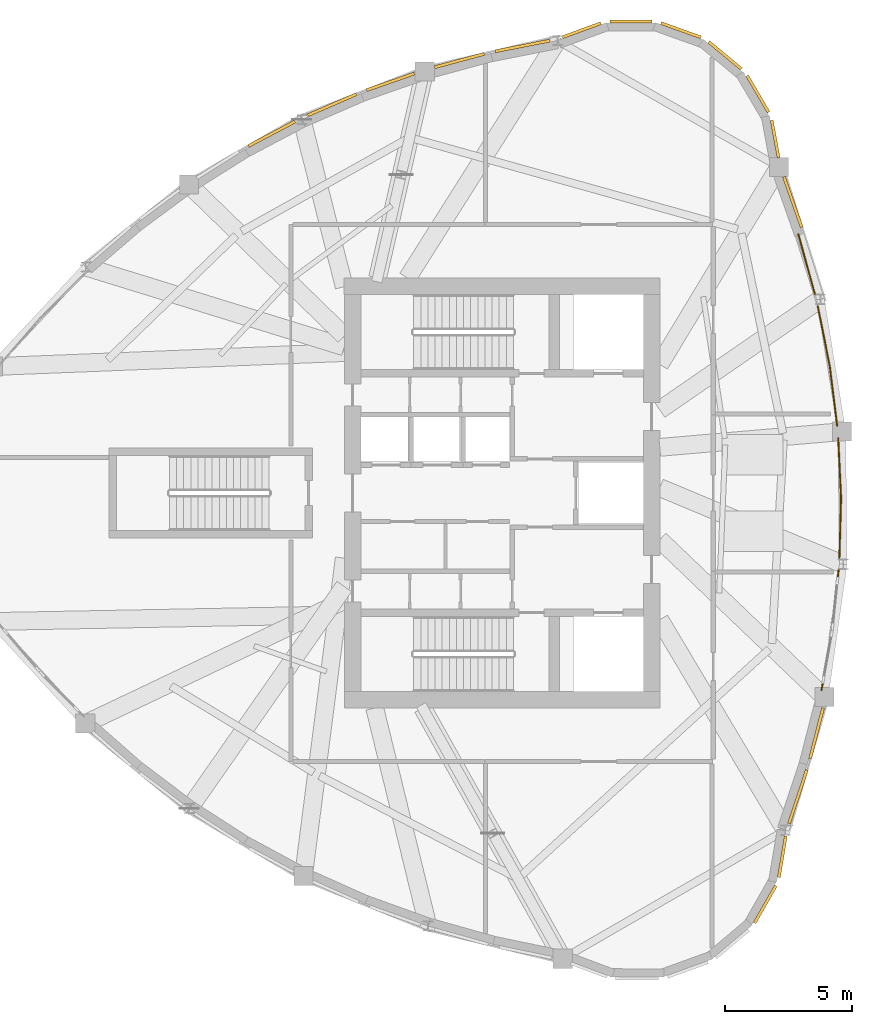
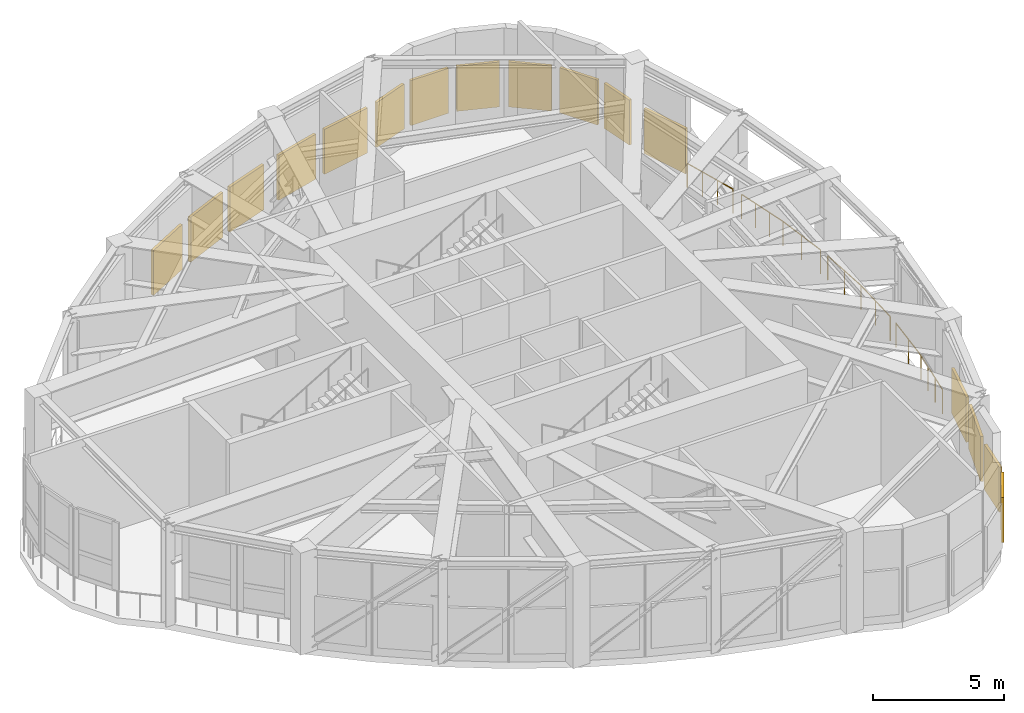
# One storey, part 10 of 10: 16 shading devices, 7 railings.
"""IFC4 building model written with IfcOpenShell, lengths in metres."""

from ifc_helpers import new_model, si_unit, direction, frame, origin, origin_2d, place, context, subcontext, project, spatial, rectangle, circle, extrude, source, transform, mapped, material, layer, layer_set, type_object, element, save


model = new_model("IFC4")

# Units and contexts
model_context = context("Model", 3, precision=1e-05, world=origin(), true_north=direction((0.0, 1.0)))
body_context = subcontext(model_context, "Body", "Model", "MODEL_VIEW")
ifc_project = project(units=[si_unit("LENGTHUNIT", "METRE"), si_unit("AREAUNIT", "SQUARE_METRE"), si_unit("VOLUMEUNIT", "CUBIC_METRE"), si_unit("PLANEANGLEUNIT", "RADIAN"), si_unit("MASSUNIT", "GRAM", prefix="KILO")], contexts=[model_context])

# Site, building, storey
site_placement = place(None, origin())
site = spatial("IfcSite", under=ifc_project, at=site_placement, CompositionType="ELEMENT")
building_placement = place(site_placement, origin())
building = spatial("IfcBuilding", under=site, at=building_placement, Name="Qafzar Sky-Pleat Residences", CompositionType="ELEMENT")
storey_placement = place(building_placement, frame((0.0, 0.0, 190.60009765625)))
storey = spatial("IfcBuildingStorey", under=building, at=storey_placement, Name="L57", CompositionType="ELEMENT", Elevation=190.60009765625)

# Shading devices
ifc_material_1 = material(Name="Anodised bronze aluminium acoustic louvre", Category="aluminium")
ifc_layer = layer(ifc_material_1, 0.1201171875)
ifc_layer_set = layer_set([ifc_layer], Name="Anodised bronze aluminium acoustic louvre")
shading_device_type = type_object("IfcShadingDeviceType", Name="SHD-LOUVRE-PLANT", PredefinedType="JALOUSIE", material=ifc_layer_set)
shared_shape_1 = source(origin(), body_context, "Body", "SweptSolid", [
    extrude(rectangle(XDim=1.985107421875, YDim=0.1201171875, at=origin_2d()), origin(), (0.0, 0.0, 1.0), 2.10009765625),
])
shading_device_1_placement = place(storey_placement, frame((25.966796875, 42.154541015625, 0.449951171875), z_axis=(0.0, 0.0, 1.0), x_axis=(-0.944140121772, -0.329544276935, 0.0)))
element("IfcShadingDevice", 1, at=shading_device_1_placement, inside=storey, type_object=shading_device_type, Name="L57 Plant Acoustic Louvre 41", PredefinedType="JALOUSIE", context=body_context, shape_type="MappedRepresentation", body=[
    mapped(shared_shape_1, transform((0.0, 0.0, 0.0), x_axis=(1.0, 0.0, 0.0), y_axis=(0.0, 1.0, 0.0), z_axis=(0.0, 0.0, 1.0), scale=1.0)),
])
shared_shape_2 = source(origin(), body_context, "Body", "SweptSolid", [
    extrude(rectangle(XDim=1.68701171875, YDim=0.1201171875, at=origin_2d()), origin(), (0.0, 0.0, 1.0), 2.10009765625),
])
shading_device_2_placement = place(storey_placement, frame((40.689697265625, 9.834716796875, 0.449951171875), z_axis=(0.0, 0.0, 1.0), x_axis=(0.495776314324, 0.868450255429, 0.0)))
element("IfcShadingDevice", 2, at=shading_device_2_placement, inside=storey, type_object=shading_device_type, Name="L57 Plant Acoustic Louvre 21", PredefinedType="JALOUSIE", context=body_context, shape_type="MappedRepresentation", body=[
    mapped(shared_shape_2, transform((0.0, 0.0, 0.0), x_axis=(1.0, 0.0, 0.0), y_axis=(0.0, 1.0, 0.0), z_axis=(0.0, 0.0, 1.0), scale=1.0)),
])
shared_shape_3 = source(origin(), body_context, "Body", "SweptSolid", [
    extrude(rectangle(XDim=1.640625, YDim=0.1201171875, at=origin_2d()), origin(), (0.0, 0.0, 1.0), 2.10009765625),
])
shading_device_3_placement = place(storey_placement, frame((41.363525390625, 11.709228515625, 0.449951171875), z_axis=(0.0, 0.0, 1.0), x_axis=(0.165687701877, 0.98617827265, 0.0)))
element("IfcShadingDevice", 3, at=shading_device_3_placement, inside=storey, type_object=shading_device_type, Name="L57 Plant Acoustic Louvre 22", PredefinedType="JALOUSIE", context=body_context, shape_type="MappedRepresentation", body=[
    mapped(shared_shape_3, transform((0.0, 0.0, 0.0), x_axis=(1.0, 0.0, 0.0), y_axis=(0.0, 1.0, 0.0), z_axis=(0.0, 0.0, 1.0), scale=1.0)),
])
shared_shape_4 = source(origin(), body_context, "Body", "SweptSolid", [
    extrude(rectangle(XDim=2.218017578125, YDim=0.1201171875, at=origin_2d()), origin(), (0.0, 0.0, 1.0), 2.10009765625),
])
shading_device_4_placement = place(storey_placement, frame((41.976806640625, 14.067138671875, 0.449951171875), z_axis=(0.0, 0.0, 1.0), x_axis=(0.314387802829, 0.94929463784, 0.0)))
element("IfcShadingDevice", 4, at=shading_device_4_placement, inside=storey, type_object=shading_device_type, Name="L57 Plant Acoustic Louvre 23", PredefinedType="JALOUSIE", context=body_context, shape_type="MappedRepresentation", body=[
    mapped(shared_shape_4, transform((0.0, 0.0, 0.0), x_axis=(1.0, 0.0, 0.0), y_axis=(0.0, 1.0, 0.0), z_axis=(0.0, 0.0, 1.0), scale=1.0)),
])
shared_shape_5 = source(origin(), body_context, "Body", "SweptSolid", [
    extrude(rectangle(XDim=2.05615234375, YDim=0.1201171875, at=origin_2d()), origin(), (0.0, 0.0, 1.0), 2.10009765625),
])
shading_device_5_placement = place(storey_placement, frame((42.710693359375, 16.558837890625, 0.449951171875), z_axis=(0.0, 0.0, 1.0), x_axis=(0.247613282553, 0.968858948611, 0.0)))
element("IfcShadingDevice", 5, at=shading_device_5_placement, inside=storey, type_object=shading_device_type, Name="L57 Plant Acoustic Louvre 24", PredefinedType="JALOUSIE", context=body_context, shape_type="MappedRepresentation", body=[
    mapped(shared_shape_5, transform((0.0, 0.0, 0.0), x_axis=(1.0, 0.0, 0.0), y_axis=(0.0, 1.0, 0.0), z_axis=(0.0, 0.0, 1.0), scale=1.0)),
])

# Railings
ifc_material_2 = material(Name="Galvanised and bronze-coated Steel S355 guardrail", Category="steel")
railing_type = type_object("IfcRailingType", Name="RAIL-EXT-1150", PredefinedType="GUARDRAIL", material=ifc_material_2)
shared_shape_6 = source(origin(), body_context, "Body", "SweptSolid", [
    extrude(circle(Radius=0.02392578125, at=origin_2d()), frame((0.0, 0.0, 1.1259765625), z_axis=(0.177088046637, 0.984195013063, 0.0), x_axis=(-0.984195013063, 0.177088046637, 0.0)), (0.0, 0.0, 1.0), 2.403076171875),
    extrude(circle(Radius=0.02099609375, at=origin_2d()), origin(), (0.0, 0.0, 1.0), 1.101806640625),
    extrude(circle(Radius=0.02099609375, at=origin_2d()), frame((0.141845703125, 0.788330078125, 0.0)), (0.0, 0.0, 1.0), 1.101806640625),
    extrude(circle(Radius=0.02099609375, at=origin_2d()), frame((0.28369140625, 1.57666015625, 0.0)), (0.0, 0.0, 1.0), 1.101806640625),
    extrude(circle(Radius=0.02099609375, at=origin_2d()), frame((0.425537109375, 2.364990234375, 0.0)), (0.0, 0.0, 1.0), 1.101806640625),
])
railing_1_placement = place(storey_placement, frame((42.9033203125, 18.251708984375, 0.0)))
element("IfcRailing", 6, at=railing_1_placement, inside=storey, type_object=railing_type, Name="L57 Wind-Turbine Slot Edge Guard 25", PredefinedType="GUARDRAIL", context=body_context, shape_type="MappedRepresentation", body=[
    mapped(shared_shape_6, transform((0.0, 0.0, 0.0), x_axis=(1.0, 0.0, 0.0), y_axis=(0.0, 1.0, 0.0), z_axis=(0.0, 0.0, 1.0), scale=1.0)),
])
shared_shape_7 = source(origin(), body_context, "Body", "SweptSolid", [
    extrude(circle(Radius=0.02392578125, at=origin_2d()), frame((0.0, 0.0, 1.1259765625), z_axis=(0.103587003727, 0.994620396261, 0.0), x_axis=(-0.994620396261, 0.103587003727, 0.0)), (0.0, 0.0, 1.0), 2.373291015625),
    extrude(circle(Radius=0.02099609375, at=origin_2d()), origin(), (0.0, 0.0, 1.0), 1.101806640625),
    extrude(circle(Radius=0.02099609375, at=origin_2d()), frame((0.123046875, 1.18017578125, 0.0)), (0.0, 0.0, 1.0), 1.101806640625),
    extrude(circle(Radius=0.02099609375, at=origin_2d()), frame((0.245849609375, 2.360595703125, 0.0)), (0.0, 0.0, 1.0), 1.101806640625),
])
railing_2_placement = place(storey_placement, frame((43.327392578125, 20.60498046875, 0.0)))
element("IfcRailing", 7, at=railing_2_placement, inside=storey, type_object=railing_type, Name="L57 Wind-Turbine Slot Edge Guard 26", PredefinedType="GUARDRAIL", context=body_context, shape_type="MappedRepresentation", body=[
    mapped(shared_shape_7, transform((0.0, 0.0, 0.0), x_axis=(1.0, 0.0, 0.0), y_axis=(0.0, 1.0, 0.0), z_axis=(0.0, 0.0, 1.0), scale=1.0)),
])
shared_shape_8 = source(origin(), body_context, "Body", "SweptSolid", [
    extrude(circle(Radius=0.02392578125, at=origin_2d()), frame((0.0, 0.0, 1.1259765625), z_axis=(0.028364721774, 0.999597640333, 0.0), x_axis=(-0.999597640333, 0.028364721774, 0.0)), (0.0, 0.0, 1.0), 2.3583984375),
    extrude(circle(Radius=0.02099609375, at=origin_2d()), origin(), (0.0, 0.0, 1.0), 1.101806640625),
    extrude(circle(Radius=0.02099609375, at=origin_2d()), frame((0.033447265625, 1.1787109375, 0.0)), (0.0, 0.0, 1.0), 1.101806640625),
    extrude(circle(Radius=0.02099609375, at=origin_2d()), frame((0.06689453125, 2.357421875, 0.0)), (0.0, 0.0, 1.0), 1.101806640625),
])
railing_3_placement = place(storey_placement, frame((43.605224609375, 23.4521484375, 0.0)))
element("IfcRailing", 8, at=railing_3_placement, inside=storey, type_object=railing_type, Name="L57 Wind-Turbine Slot Edge Guard 27", PredefinedType="GUARDRAIL", context=body_context, shape_type="MappedRepresentation", body=[
    mapped(shared_shape_8, transform((0.0, 0.0, 0.0), x_axis=(1.0, 0.0, 0.0), y_axis=(0.0, 1.0, 0.0), z_axis=(0.0, 0.0, 1.0), scale=1.0)),
])
shared_shape_9 = source(origin(), body_context, "Body", "SweptSolid", [
    extrude(circle(Radius=0.02392578125, at=origin_2d()), frame((0.0, 0.0, 1.1259765625), z_axis=(-0.047722536092, 0.998860630693, 0.0), x_axis=(-0.998860630693, -0.047722536092, 0.0)), (0.0, 0.0, 1.0), 2.3583984375),
    extrude(circle(Radius=0.02099609375, at=origin_2d()), origin(), (0.0, 0.0, 1.0), 1.101806640625),
    extrude(circle(Radius=0.02099609375, at=origin_2d()), frame((-0.05615234375, 1.177734375, 0.0)), (0.0, 0.0, 1.0), 1.101806640625),
    extrude(circle(Radius=0.02099609375, at=origin_2d()), frame((-0.112548828125, 2.355712890625, 0.0)), (0.0, 0.0, 1.0), 1.101806640625),
])
railing_4_placement = place(storey_placement, frame((43.672119140625, 25.79736328125, 0.0)))
element("IfcRailing", 9, at=railing_4_placement, inside=storey, type_object=railing_type, Name="L57 Wind-Turbine Slot Edge Guard 28", PredefinedType="GUARDRAIL", context=body_context, shape_type="MappedRepresentation", body=[
    mapped(shared_shape_9, transform((0.0, 0.0, 0.0), x_axis=(1.0, 0.0, 0.0), y_axis=(0.0, 1.0, 0.0), z_axis=(0.0, 0.0, 1.0), scale=1.0)),
])
shared_shape_10 = source(origin(), body_context, "Body", "SweptSolid", [
    extrude(circle(Radius=0.02392578125, at=origin_2d()), frame((0.0, 0.0, 1.1259765625), z_axis=(-0.122933126703, 0.992414956739, 0.0), x_axis=(-0.992414956739, -0.122933126703, 0.0)), (0.0, 0.0, 1.0), 2.373291015625),
    extrude(circle(Radius=0.02099609375, at=origin_2d()), origin(), (0.0, 0.0, 1.0), 1.101806640625),
    extrude(circle(Radius=0.02099609375, at=origin_2d()), frame((-0.14599609375, 1.177734375, 0.0)), (0.0, 0.0, 1.0), 1.101806640625),
    extrude(circle(Radius=0.02099609375, at=origin_2d()), frame((-0.291748046875, 2.355224609375, 0.0)), (0.0, 0.0, 1.0), 1.101806640625),
])
railing_5_placement = place(storey_placement, frame((43.51806640625, 28.638916015625, 0.0)))
element("IfcRailing", 10, at=railing_5_placement, inside=storey, type_object=railing_type, Name="L57 Wind-Turbine Slot Edge Guard 29", PredefinedType="GUARDRAIL", context=body_context, shape_type="MappedRepresentation", body=[
    mapped(shared_shape_10, transform((0.0, 0.0, 0.0), x_axis=(1.0, 0.0, 0.0), y_axis=(0.0, 1.0, 0.0), z_axis=(0.0, 0.0, 1.0), scale=1.0)),
])
shared_shape_11 = source(origin(), body_context, "Body", "SweptSolid", [
    extrude(circle(Radius=0.02392578125, at=origin_2d()), frame((0.0, 0.0, 1.1259765625), z_axis=(-0.196174745734, 0.98056895175, 0.0), x_axis=(-0.98056895175, -0.196174745734, 0.0)), (0.0, 0.0, 1.0), 2.403076171875),
    extrude(circle(Radius=0.02099609375, at=origin_2d()), origin(), (0.0, 0.0, 1.0), 1.101806640625),
    extrude(circle(Radius=0.02099609375, at=origin_2d()), frame((-0.1572265625, 0.785400390625, 0.0)), (0.0, 0.0, 1.0), 1.101806640625),
    extrude(circle(Radius=0.02099609375, at=origin_2d()), frame((-0.314208984375, 1.571044921875, 0.0)), (0.0, 0.0, 1.0), 1.101806640625),
    extrude(circle(Radius=0.02099609375, at=origin_2d()), frame((-0.471435546875, 2.3564453125, 0.0)), (0.0, 0.0, 1.0), 1.101806640625),
])
railing_6_placement = place(storey_placement, frame((43.22802734375, 30.982421875, 0.0)))
element("IfcRailing", 11, at=railing_6_placement, inside=storey, type_object=railing_type, Name="L57 Wind-Turbine Slot Edge Guard 30", PredefinedType="GUARDRAIL", context=body_context, shape_type="MappedRepresentation", body=[
    mapped(shared_shape_11, transform((0.0, 0.0, 0.0), x_axis=(1.0, 0.0, 0.0), y_axis=(0.0, 1.0, 0.0), z_axis=(0.0, 0.0, 1.0), scale=1.0)),
])
shared_shape_12 = source(origin(), body_context, "Body", "SweptSolid", [
    extrude(circle(Radius=0.02392578125, at=origin_2d()), frame((0.0, 0.0, 1.1259765625), z_axis=(-0.266382944661, 0.963867276545, 0.0), x_axis=(-0.963867276545, -0.266382944661, 0.0)), (0.0, 0.0, 1.0), 2.447021484375),
    extrude(circle(Radius=0.02099609375, at=origin_2d()), origin(), (0.0, 0.0, 1.0), 1.101806640625),
    extrude(circle(Radius=0.02099609375, at=origin_2d()), frame((-0.21728515625, 0.7861328125, 0.0)), (0.0, 0.0, 1.0), 1.101806640625),
    extrude(circle(Radius=0.02099609375, at=origin_2d()), frame((-0.4345703125, 1.572509765625, 0.0)), (0.0, 0.0, 1.0), 1.101806640625),
    extrude(circle(Radius=0.02099609375, at=origin_2d()), frame((-0.65185546875, 2.358642578125, 0.0)), (0.0, 0.0, 1.0), 1.101806640625),
])
railing_7_placement = place(storey_placement, frame((42.6435546875, 33.813720703125, 0.0)))
element("IfcRailing", 12, at=railing_7_placement, inside=storey, type_object=railing_type, Name="L57 Wind-Turbine Slot Edge Guard 31", PredefinedType="GUARDRAIL", context=body_context, shape_type="MappedRepresentation", body=[
    mapped(shared_shape_12, transform((0.0, 0.0, 0.0), x_axis=(1.0, 0.0, 0.0), y_axis=(0.0, 1.0, 0.0), z_axis=(0.0, 0.0, 1.0), scale=1.0)),
])

# Shading devices
shared_shape_13 = source(origin(), body_context, "Body", "SweptSolid", [
    extrude(rectangle(XDim=2.102294921875, YDim=0.1201171875, at=origin_2d()), origin(), (0.0, 0.0, 1.0), 2.10009765625),
])
shading_device_6_placement = place(storey_placement, frame((41.773193359375, 37.436279296875, 0.449951171875), z_axis=(0.0, 0.0, 1.0), x_axis=(-0.332790259091, 0.943000871396, 0.0)))
element("IfcShadingDevice", 13, at=shading_device_6_placement, inside=storey, type_object=shading_device_type, Name="L57 Plant Acoustic Louvre 32", PredefinedType="JALOUSIE", context=body_context, shape_type="MappedRepresentation", body=[
    mapped(shared_shape_13, transform((0.0, 0.0, 0.0), x_axis=(1.0, 0.0, 0.0), y_axis=(0.0, 1.0, 0.0), z_axis=(0.0, 0.0, 1.0), scale=1.0)),
])
shared_shape_14 = source(origin(), body_context, "Body", "SweptSolid", [
    extrude(rectangle(XDim=1.50244140625, YDim=0.1201171875, at=origin_2d()), origin(), (0.0, 0.0, 1.0), 2.10009765625),
])
shading_device_7_placement = place(storey_placement, frame((41.081787109375, 39.908203125, 0.449951171875), z_axis=(0.0, 0.0, 1.0), x_axis=(-0.182417193736, 0.983221219985, 0.0)))
element("IfcShadingDevice", 14, at=shading_device_7_placement, inside=storey, type_object=shading_device_type, Name="L57 Plant Acoustic Louvre 33", PredefinedType="JALOUSIE", context=body_context, shape_type="MappedRepresentation", body=[
    mapped(shared_shape_14, transform((0.0, 0.0, 0.0), x_axis=(1.0, 0.0, 0.0), y_axis=(0.0, 1.0, 0.0), z_axis=(0.0, 0.0, 1.0), scale=1.0)),
])
shared_shape_15 = source(origin(), body_context, "Body", "SweptSolid", [
    extrude(rectangle(XDim=1.664794921875, YDim=0.1201171875, at=origin_2d()), origin(), (0.0, 0.0, 1.0), 2.10009765625),
])
for number, where, z_axis, x_axis, name in (
    (15, (40.4033203125, 41.676513671875, 0.449951171875), (0.0, 0.0, 1.0), (-0.506268159892, 0.862376107206, 0.0), "L57 Plant Acoustic Louvre 34"),
    (16, (39.11181640625, 43.195556640625, 0.449951171875), (0.0, 0.0, 1.0), (-0.769692306545, 0.638415032127, 0.0), "L57 Plant Acoustic Louvre 35"),
    (17, (37.3798828125, 44.18408203125, 0.449951171875), (0.0, 0.0, 1.0), (-0.941074716279, 0.338198726167, 0.0), "L57 Plant Acoustic Louvre 36"),
    (18, (35.415283203125, 44.523681640625, 0.449951171875), (0.0, 0.0, 1.0), (-0.999996996938, -0.002450737482, 0.0), "L57 Plant Acoustic Louvre 37"),
):
    element("IfcShadingDevice", number, at=place(storey_placement, frame(where, z_axis=z_axis, x_axis=x_axis)), inside=storey, type_object=shading_device_type, Name=name, PredefinedType="JALOUSIE", context=body_context, shape_type="MappedRepresentation", body=[
        mapped(shared_shape_15, transform((0.0, 0.0, 0.0), x_axis=(1.0, 0.0, 0.0), y_axis=(0.0, 1.0, 0.0), z_axis=(0.0, 0.0, 1.0), scale=1.0)),
    ])
shared_shape_16 = source(origin(), body_context, "Body", "SweptSolid", [
    extrude(rectangle(XDim=1.618408203125, YDim=0.1201171875, at=origin_2d()), origin(), (0.0, 0.0, 1.0), 2.10009765625),
])
shading_device_8_placement = place(storey_placement, frame((33.4794921875, 44.184326171875, 0.449951171875), z_axis=(0.0, 0.0, 1.0), x_axis=(-0.939410386644, -0.342794582024, 0.0)))
element("IfcShadingDevice", 19, at=shading_device_8_placement, inside=storey, type_object=shading_device_type, Name="L57 Plant Acoustic Louvre 38", PredefinedType="JALOUSIE", context=body_context, shape_type="MappedRepresentation", body=[
    mapped(shared_shape_16, transform((0.0, 0.0, 0.0), x_axis=(1.0, 0.0, 0.0), y_axis=(0.0, 1.0, 0.0), z_axis=(0.0, 0.0, 1.0), scale=1.0)),
])
shared_shape_17 = source(origin(), body_context, "Body", "SweptSolid", [
    extrude(rectangle(XDim=2.180908203125, YDim=0.1201171875, at=origin_2d()), origin(), (0.0, 0.0, 1.0), 2.10009765625),
])
shading_device_9_placement = place(storey_placement, frame((31.16162109375, 43.56640625, 0.449951171875), z_axis=(0.0, 0.0, 1.0), x_axis=(-0.981236801145, -0.192806483496, 0.0)))
element("IfcShadingDevice", 20, at=shading_device_9_placement, inside=storey, type_object=shading_device_type, Name="L57 Plant Acoustic Louvre 39", PredefinedType="JALOUSIE", context=body_context, shape_type="MappedRepresentation", body=[
    mapped(shared_shape_17, transform((0.0, 0.0, 0.0), x_axis=(1.0, 0.0, 0.0), y_axis=(0.0, 1.0, 0.0), z_axis=(0.0, 0.0, 1.0), scale=1.0)),
])
shared_shape_18 = source(origin(), body_context, "Body", "SweptSolid", [
    extrude(rectangle(XDim=2.01953125, YDim=0.1201171875, at=origin_2d()), origin(), (0.0, 0.0, 1.0), 2.10009765625),
])
shading_device_10_placement = place(storey_placement, frame((28.67578125, 42.990966796875, 0.449951171875), z_axis=(0.0, 0.0, 1.0), x_axis=(-0.965446126386, -0.260602718799, 0.0)))
element("IfcShadingDevice", 21, at=shading_device_10_placement, inside=storey, type_object=shading_device_type, Name="L57 Plant Acoustic Louvre 40", PredefinedType="JALOUSIE", context=body_context, shape_type="MappedRepresentation", body=[
    mapped(shared_shape_18, transform((0.0, 0.0, 0.0), x_axis=(1.0, 0.0, 0.0), y_axis=(0.0, 1.0, 0.0), z_axis=(0.0, 0.0, 1.0), scale=1.0)),
])
shared_shape_19 = source(origin(), body_context, "Body", "SweptSolid", [
    extrude(rectangle(XDim=2.07763671875, YDim=0.1201171875, at=origin_2d()), origin(), (0.0, 0.0, 1.0), 2.10009765625),
])
shading_device_11_placement = place(storey_placement, frame((23.671630859375, 41.254150390625, 0.449951171875), z_axis=(0.0, 0.0, 1.0), x_axis=(-0.917073117033, -0.398719071548, 0.0)))
element("IfcShadingDevice", 22, at=shading_device_11_placement, inside=storey, type_object=shading_device_type, Name="L57 Plant Acoustic Louvre 42", PredefinedType="JALOUSIE", context=body_context, shape_type="MappedRepresentation", body=[
    mapped(shared_shape_19, transform((0.0, 0.0, 0.0), x_axis=(1.0, 0.0, 0.0), y_axis=(0.0, 1.0, 0.0), z_axis=(0.0, 0.0, 1.0), scale=1.0)),
])
shared_shape_20 = source(origin(), body_context, "Body", "SweptSolid", [
    extrude(rectangle(XDim=2.06591796875, YDim=0.1201171875, at=origin_2d()), origin(), (0.0, 0.0, 1.0), 2.10009765625),
])
shading_device_12_placement = place(storey_placement, frame((21.29931640625, 40.11474609375, 0.449951171875), z_axis=(0.0, 0.0, 1.0), x_axis=(-0.884382532583, -0.466762826351, 0.0)))
element("IfcShadingDevice", 23, at=shading_device_12_placement, inside=storey, type_object=shading_device_type, Name="L57 Plant Acoustic Louvre 43", PredefinedType="JALOUSIE", context=body_context, shape_type="MappedRepresentation", body=[
    mapped(shared_shape_20, transform((0.0, 0.0, 0.0), x_axis=(1.0, 0.0, 0.0), y_axis=(0.0, 1.0, 0.0), z_axis=(0.0, 0.0, 1.0), scale=1.0)),
])

save(model, "model.ifc")
